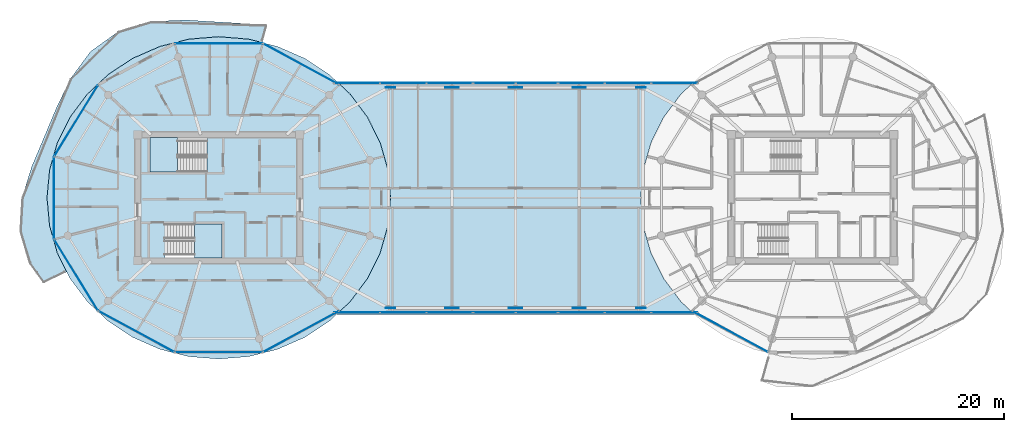
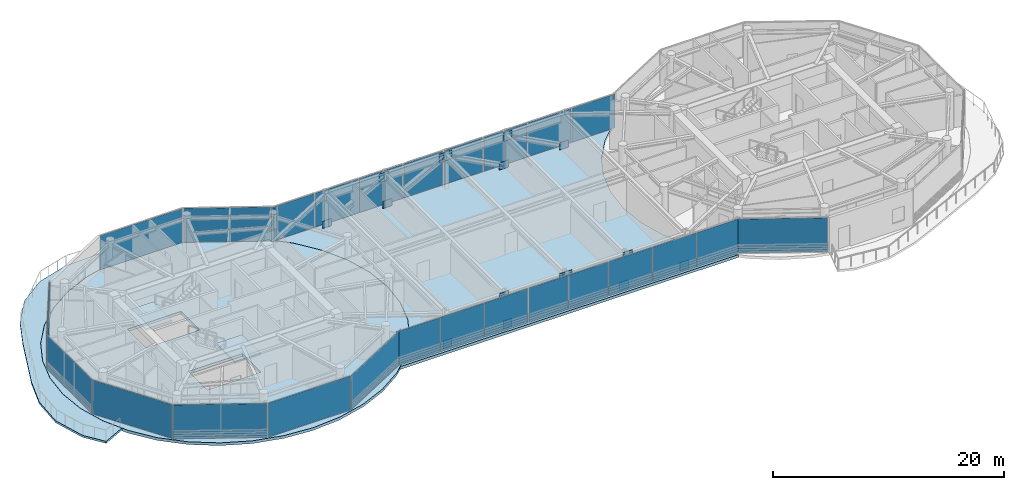
# One storey, part 11 of 24: 41 plates, 5 slabs, 17 elements without a shape of their own.
"""IFC4 building model written with IfcOpenShell, lengths in metres."""

from ifc_helpers import new_model, si_unit, direction, frame, origin, origin_2d, place, context, subcontext, project, spatial, polyline, rectangle, outline, extrude, source, transform, mapped, material, layer, layer_set, type_object, type_shapes, element, aggregate, save


model = new_model("IFC4")

# Units and contexts
model_context = context("Model", 3, precision=1e-05, world=origin(), true_north=direction((0.0, 1.0)))
body_context = subcontext(model_context, "Body", "Model", "MODEL_VIEW")
ifc_project = project(units=[si_unit("LENGTHUNIT", "METRE"), si_unit("AREAUNIT", "SQUARE_METRE"), si_unit("VOLUMEUNIT", "CUBIC_METRE"), si_unit("PLANEANGLEUNIT", "RADIAN"), si_unit("MASSUNIT", "GRAM", prefix="KILO")], contexts=[model_context])

# Site, building, storey
site_placement = place(None, origin())
site = spatial("IfcSite", under=ifc_project, at=site_placement, CompositionType="ELEMENT")
building_placement = place(site_placement, origin())
building = spatial("IfcBuilding", under=site, at=building_placement, Name="Norrkilde Senior Care Towers", CompositionType="ELEMENT")
storey_placement = place(building_placement, frame((0.0, 0.0, 203.800048828125)))
storey = spatial("IfcBuildingStorey", under=building, at=storey_placement, Name="L63", CompositionType="ELEMENT", Elevation=203.800048828125)

# Slabs
ifc_material_1 = material(Name="Concrete C50/60", Category="concrete")
ifc_layer_1 = layer(ifc_material_1, 0.2900390625)
ifc_layer_set_1 = layer_set([ifc_layer_1], Name="Concrete C50/60")
slab_type_1 = type_object("IfcSlabType", Name="Bridge Floor Slab 290", PredefinedType="FLOOR", material=ifc_layer_set_1)
slab_1_placement = place(storey_placement, frame((0.0, 0.0, -0.2900390625)))
element("IfcSlab", 1, at=slab_1_placement, inside=storey, type_object=slab_type_1, Name="L63 Drum W Structural Floor Slab", PredefinedType="FLOOR", context=body_context, shape_type="SweptSolid", body=[
    extrude(outline(polyline([(-12.777099609375, -5.19873046875), (-13.970458984375, -7.60009765625), (-15.590087890625, -9.770263671875), (-17.5869140625, -11.643798828125), (-19.89990234375, -13.16357421875), (-22.459228515625, -14.283447265625), (-25.18701171875, -14.968994140625), (-28.0, -15.199951171875), (-30.81298828125, -14.968994140625), (-33.540771484375, -14.283447265625), (-36.10009765625, -13.16357421875), (-38.4130859375, -11.643798828125), (-40.409912109375, -9.770263671875), (-42.029541015625, -7.60009765625), (-43.222900390625, -5.19873046875), (-43.953857421875, -2.639404296875), (-44.199951171875, 0.0), (-43.953857421875, 2.639404296875), (-43.222900390625, 5.19873046875), (-42.029541015625, 7.60009765625), (-40.409912109375, 9.770263671875), (-38.4130859375, 11.643798828125), (-36.10009765625, 13.16357421875), (-33.540771484375, 14.283447265625), (-30.81298828125, 14.968994140625), (-28.0, 15.199951171875), (-25.18701171875, 14.968994140625), (-22.459228515625, 14.283447265625), (-19.89990234375, 13.16357421875), (-17.5869140625, 11.643798828125), (-15.590087890625, 9.770263671875), (-13.970458984375, 7.60009765625), (-12.777099609375, 5.19873046875), (-12.046142578125, 2.639404296875), (-11.800048828125, 0.0), (-12.046142578125, -2.639404296875), (-12.777099609375, -5.19873046875)]), holes=[polyline([(-34.48193359375, 2.468017578125), (-29.117919921875, 2.468017578125), (-29.117919921875, 5.68994140625), (-34.48193359375, 5.68994140625), (-34.48193359375, 2.468017578125)]), polyline([(-27.718017578125, -5.68994140625), (-27.718017578125, -2.468017578125), (-33.08203125, -2.468017578125), (-33.08203125, -5.68994140625), (-27.718017578125, -5.68994140625)])]), origin(), (0.0, 0.0, 1.0), 0.2900390625),
])
slab_2_placement = place(storey_placement, frame((0.0, 0.0, -0.2900390625)))
element("IfcSlab", 2, at=slab_2_placement, inside=storey, type_object=slab_type_1, Name="L63 Sky-Gate Bridge Floor Slab", PredefinedType="FLOOR", context=body_context, shape_type="SweptSolid", body=[
    extrude(outline(polyline([(16.893310546875, 11.0), (15.586669921875, 9.77392578125), (15.58642578125, 9.773681640625), (15.586181640625, 9.7734375), (13.96630859375, 7.60302734375), (13.966064453125, 7.6025390625), (13.9658203125, 7.602294921875), (12.7724609375, 5.200927734375), (12.772216796875, 5.200439453125), (12.772216796875, 5.2001953125), (12.041259765625, 2.640869140625), (12.041259765625, 2.640380859375), (12.041015625, 2.639892578125), (11.794921875, 0.00048828125), (11.794921875, 0.0), (11.794921875, -0.00048828125), (12.041015625, -2.639892578125), (12.041259765625, -2.640380859375), (12.041259765625, -2.640869140625), (12.772216796875, -5.2001953125), (12.772216796875, -5.200439453125), (12.7724609375, -5.200927734375), (13.9658203125, -7.602294921875), (13.966064453125, -7.6025390625), (13.96630859375, -7.60302734375), (15.586181640625, -9.7734375), (15.58642578125, -9.773681640625), (15.586669921875, -9.77392578125), (16.893310546875, -11.0), (-16.893310546875, -11.0), (-15.586669921875, -9.77392578125), (-15.58642578125, -9.773681640625), (-15.586181640625, -9.7734375), (-13.96630859375, -7.60302734375), (-13.966064453125, -7.6025390625), (-13.9658203125, -7.602294921875), (-12.7724609375, -5.200927734375), (-12.772216796875, -5.200439453125), (-12.772216796875, -5.2001953125), (-12.041259765625, -2.640869140625), (-12.041259765625, -2.640380859375), (-12.041015625, -2.639892578125), (-11.794921875, -0.00048828125), (-11.794921875, 0.0), (-11.794921875, 0.00048828125), (-12.041015625, 2.639892578125), (-12.041259765625, 2.640380859375), (-12.041259765625, 2.640869140625), (-12.772216796875, 5.2001953125), (-12.772216796875, 5.200439453125), (-12.7724609375, 5.200927734375), (-13.9658203125, 7.602294921875), (-13.966064453125, 7.6025390625), (-13.96630859375, 7.60302734375), (-15.586181640625, 9.7734375), (-15.58642578125, 9.773681640625), (-15.586669921875, 9.77392578125), (-16.893310546875, 11.0), (16.893310546875, 11.0)])), origin(), (0.0, 0.0, 1.0), 0.2900390625),
])
ifc_layer_2 = layer(ifc_material_1, 0.215087890625)
ifc_layer_set_2 = layer_set([ifc_layer_2], Name="Concrete C50/60")
slab_type_2 = type_object("IfcSlabType", Name="Sinusoidal Balcony Ribbon Slab 215", PredefinedType="FLOOR", material=ifc_layer_set_2)
slab_3_placement = place(storey_placement, frame((0.0, 0.0, -0.215087890625)))
element("IfcSlab", 3, at=slab_3_placement, inside=storey, type_object=slab_type_2, Name="L63 Drum W Swirling Senior Balcony 1", PredefinedType="FLOOR", context=body_context, shape_type="SweptSolid", body=[
    extrude(outline(polyline([(-46.564453125, 0.0), (-45.638671875, 2.9560546875), (-44.48876953125, 5.689697265625), (-43.348876953125, 8.411865234375), (-42.01416015625, 11.205078125), (-40.10546875, 13.79345703125), (-37.47314453125, 15.698486328125), (-34.344970703125, 16.638671875), (-31.112548828125, 16.779052734375), (-28.0, 16.587890625), (-24.947265625, 16.417236328125), (-23.424072265625, 16.30810546875), (-23.889892578125, 14.648193359375), (-25.18603515625, 14.97412109375), (-28.0, 15.205078125), (-30.81396484375, 14.97412109375), (-33.54248046875, 14.2880859375), (-36.1025390625, 13.16796875), (-38.416259765625, 11.647705078125), (-40.413818359375, 9.773681640625), (-42.033935546875, 7.6025390625), (-43.227783203125, 5.200439453125), (-43.958740234375, 2.640380859375), (-44.205078125, 0.0), (-43.958740234375, -2.640380859375), (-43.227783203125, -5.200439453125), (-42.34375, -6.979248046875), (-44.52392578125, -8.0400390625), (-45.842041015625, -6.214599609375), (-46.74853515625, -3.16455078125), (-46.564453125, 0.0)])), origin(), (0.0, 0.0, 1.0), 0.215087890625),
])

# Stair, slab
ifc_material_2 = material(Name="Concrete C45/55", Category="concrete")
stair_type = type_object("IfcStairType", Name="Core Protected Dogleg Stair Bridge 4000", PredefinedType="HALF_TURN_STAIR", material=ifc_material_2)
stair_1_placement = place(storey_placement, origin())
stair_1 = element("IfcStair", 4, at=stair_1_placement, inside=storey, type_object=stair_type, Name="L63 Protected Core Stair W1", PredefinedType="HALF_TURN_STAIR")
ifc_layer_3 = layer(ifc_material_2, 0.199951171875)
ifc_layer_set_3 = layer_set([ifc_layer_3], Name="Concrete C45/55")
slab_type_3 = type_object("IfcSlabType", Name="Stair Landing Slab 200", PredefinedType="LANDING", material=ifc_layer_set_3)
slab_4_placement = place(storey_placement, frame((0.0, 0.0, 1.800048828125)))
slab_4 = element("IfcSlab", 5, at=slab_4_placement, type_object=slab_type_3, Name="ST-W1 landing 1", PredefinedType="LANDING", context=body_context, shape_type="SweptSolid", body=[
    extrude(outline(polyline([(-31.89990234375, 5.68994140625), (-34.5, 5.68994140625), (-34.5, 2.449951171875), (-31.89990234375, 2.449951171875), (-31.89990234375, 5.68994140625)])), origin(), (0.0, 0.0, 1.0), 0.199951171875),
])
aggregate(stair_1, [slab_4])

stair_2_placement = place(storey_placement, origin())
stair_2 = element("IfcStair", 6, at=stair_2_placement, inside=storey, type_object=stair_type, Name="L63 Protected Core Stair W2", PredefinedType="HALF_TURN_STAIR")
slab_5_placement = place(storey_placement, frame((0.0, 0.0, 1.800048828125)))
slab_5 = element("IfcSlab", 7, at=slab_5_placement, type_object=slab_type_3, Name="ST-W2 landing 1", PredefinedType="LANDING", context=body_context, shape_type="SweptSolid", body=[
    extrude(outline(polyline([(-30.300048828125, -5.68994140625), (-27.699951171875, -5.68994140625), (-27.699951171875, -2.449951171875), (-30.300048828125, -2.449951171875), (-30.300048828125, -5.68994140625)])), origin(), (0.0, 0.0, 1.0), 0.199951171875),
])
aggregate(stair_2, [slab_5])

# Plates
ifc_material_3 = material(Name="Steel S355", Category="steel")
ifc_layer_4 = layer(ifc_material_3, 0.034912109375)
ifc_layer_set_4 = layer_set([ifc_layer_4], Name="Steel S355")
plate_type_1 = type_object("IfcPlateType", Name="Truss Node Gusset Plate 35", PredefinedType="USERDEFINED", material=ifc_layer_set_4)
shared_shape_1 = source(origin(), body_context, "Body", "SweptSolid", [
    extrude(rectangle(XDim=0.89990234375, YDim=0.034912109375, at=origin_2d()), origin(), (0.0, 0.0, 1.0), 0.89990234375),
])
type_shapes(plate_type_1, [shared_shape_1])
for number, where, z_axis, x_axis, name in (
    (8, (-11.820068359375, -10.39990234375, -0.14990234375), (0.0, 0.0, 1.0), (1.0, 0.0, 0.0), "L63 Pratt Truss Node Assembly ND-B2 Lower Gusset Plate"),
    (9, (-6.179931640625, -10.39990234375, 2.860107421875), (0.0, 0.0, 1.0), (1.0, 0.0, 0.0), "L63 Pratt Truss Node Assembly ND-B2 Upper Gusset Plate"),
    (10, (-5.820068359375, -10.39990234375, -0.14990234375), (0.0, 0.0, 1.0), (1.0, 0.0, 0.0), "L63 Pratt Truss Node Assembly ND-B3 Lower Gusset Plate"),
    (11, (-0.179931640625, -10.39990234375, 2.860107421875), (0.0, 0.0, 1.0), (1.0, 0.0, 0.0), "L63 Pratt Truss Node Assembly ND-B3 Upper Gusset Plate"),
    (12, (5.820068359375, -10.39990234375, -0.14990234375), (0.0, 0.0, 1.0), (1.0, 0.0, 0.0), "L63 Pratt Truss Node Assembly ND-B4 Lower Gusset Plate"),
    (13, (0.179931640625, -10.39990234375, 2.860107421875), (0.0, 0.0, 1.0), (1.0, 0.0, 0.0), "L63 Pratt Truss Node Assembly ND-B4 Upper Gusset Plate"),
    (14, (11.820068359375, -10.39990234375, -0.14990234375), (0.0, 0.0, 1.0), (1.0, 0.0, 0.0), "L63 Pratt Truss Node Assembly ND-B5 Lower Gusset Plate"),
    (15, (6.179931640625, -10.39990234375, 2.860107421875), (0.0, 0.0, 1.0), (1.0, 0.0, 0.0), "L63 Pratt Truss Node Assembly ND-B5 Upper Gusset Plate"),
    (16, (-11.820068359375, 10.39990234375, -0.14990234375), (0.0, 0.0, 1.0), (1.0, 0.0, 0.0), "L63 Pratt Truss Node Assembly ND-B2 Lower Gusset Plate"),
    (17, (-6.179931640625, 10.39990234375, 2.860107421875), (0.0, 0.0, 1.0), (1.0, 0.0, 0.0), "L63 Pratt Truss Node Assembly ND-B2 Upper Gusset Plate"),
    (18, (-5.820068359375, 10.39990234375, -0.14990234375), (0.0, 0.0, 1.0), (1.0, 0.0, 0.0), "L63 Pratt Truss Node Assembly ND-B3 Lower Gusset Plate"),
    (19, (-0.179931640625, 10.39990234375, 2.860107421875), (0.0, 0.0, 1.0), (1.0, 0.0, 0.0), "L63 Pratt Truss Node Assembly ND-B3 Upper Gusset Plate"),
    (20, (5.820068359375, 10.39990234375, -0.14990234375), (0.0, 0.0, 1.0), (1.0, 0.0, 0.0), "L63 Pratt Truss Node Assembly ND-B4 Lower Gusset Plate"),
    (21, (0.179931640625, 10.39990234375, 2.860107421875), (0.0, 0.0, 1.0), (1.0, 0.0, 0.0), "L63 Pratt Truss Node Assembly ND-B4 Upper Gusset Plate"),
    (22, (11.820068359375, 10.39990234375, -0.14990234375), (0.0, 0.0, 1.0), (1.0, 0.0, 0.0), "L63 Pratt Truss Node Assembly ND-B5 Lower Gusset Plate"),
    (23, (6.179931640625, 10.39990234375, 2.860107421875), (0.0, 0.0, 1.0), (1.0, 0.0, 0.0), "L63 Pratt Truss Node Assembly ND-B5 Upper Gusset Plate"),
):
    element("IfcPlate", number, at=place(storey_placement, frame(where, z_axis=z_axis, x_axis=x_axis)), inside=storey, type_object=plate_type_1, Name=name, ObjectType="GUSSET_PLATE", PredefinedType="USERDEFINED", context=body_context, shape_type="MappedRepresentation", body=[
        mapped(shared_shape_1, transform((0.0, 0.0, 0.0), x_axis=(1.0, 0.0, 0.0), y_axis=(0.0, 1.0, 0.0), z_axis=(0.0, 0.0, 1.0), scale=1.0)),
    ])

# Curtain wall, plate
ifc_material_4 = material(Name="Triple Low-E Insulated Glazing", Category="glass")
ifc_layer_5 = layer(ifc_material_4, 0.18505859375)
ifc_layer_set_5 = layer_set([ifc_layer_5], Name="Triple Low-E Insulated Glazing")
curtain_wall_type_1 = type_object("IfcCurtainWallType", Name="CW6 Zone 4 Crown Pavilion Curtain Wall", PredefinedType="NOTDEFINED", material=ifc_layer_set_5)
curtain_wall_1_placement = place(storey_placement, origin())
curtain_wall_1 = element("IfcCurtainWall", 24, at=curtain_wall_1_placement, inside=storey, type_object=curtain_wall_type_1, Name="L63 Drum W Curtain Wall 01", PredefinedType="NOTDEFINED")
ifc_layer_6 = layer(ifc_material_4, 0.035888671875)
ifc_layer_set_6 = layer_set([ifc_layer_6], Name="Triple Low-E Insulated Glazing")
plate_type_2 = type_object("IfcPlateType", Name="Triple Low-E Vision Curtain Panel 36", PredefinedType="CURTAIN_PANEL", material=ifc_layer_set_6)
shared_shape_2 = source(origin(), body_context, "Body", "SweptSolid", [
    extrude(rectangle(XDim=8.0673828125, YDim=0.035888671875, at=origin_2d()), origin(), (0.0, 0.0, 1.0), 3.590087890625),
])
plate_1_placement = place(storey_placement, frame((-20.23388671875, 12.61474609375, 0.06005859375), z_axis=(0.0, 0.0, 1.0), x_axis=(0.879373455772, -0.476132676136, 0.0)))
plate_1 = element("IfcPlate", 25, at=plate_1_placement, type_object=plate_type_2, Name="CW-6 panel 1.1", PredefinedType="CURTAIN_PANEL", context=body_context, shape_type="MappedRepresentation", body=[
    mapped(shared_shape_2, transform((0.0, 0.0, 0.0), x_axis=(1.0, 0.0, 0.0), y_axis=(0.0, 1.0, 0.0), z_axis=(0.0, 0.0, 1.0), scale=1.0)),
])
aggregate(curtain_wall_1, [plate_1])

curtain_wall_2_placement = place(storey_placement, origin())
curtain_wall_2 = element("IfcCurtainWall", 26, at=curtain_wall_2_placement, inside=storey, type_object=curtain_wall_type_1, Name="L63 Drum W Curtain Wall 07", PredefinedType="NOTDEFINED")
plate_2_placement = place(storey_placement, frame((-35.76611328125, -12.61474609375, 0.06005859375), z_axis=(0.0, 0.0, 1.0), x_axis=(-0.879373455772, 0.476132676136, 0.0)))
plate_2 = element("IfcPlate", 27, at=plate_2_placement, type_object=plate_type_2, Name="CW-6 panel 1.1", PredefinedType="CURTAIN_PANEL", context=body_context, shape_type="MappedRepresentation", body=[
    mapped(shared_shape_2, transform((0.0, 0.0, 0.0), x_axis=(1.0, 0.0, 0.0), y_axis=(0.0, 1.0, 0.0), z_axis=(0.0, 0.0, 1.0), scale=1.0)),
])
aggregate(curtain_wall_2, [plate_2])

curtain_wall_3_placement = place(storey_placement, origin())
curtain_wall_3 = element("IfcCurtainWall", 28, at=curtain_wall_3_placement, inside=storey, type_object=curtain_wall_type_1, Name="L63 Drum W Curtain Wall 09", PredefinedType="NOTDEFINED")
plate_3_placement = place(storey_placement, frame((-20.23388671875, -12.61474609375, 0.06005859375), z_axis=(0.0, 0.0, 1.0), x_axis=(-0.879373455772, -0.476132676136, 0.0)))
plate_3 = element("IfcPlate", 29, at=plate_3_placement, type_object=plate_type_2, Name="CW-6 panel 1.1", PredefinedType="CURTAIN_PANEL", context=body_context, shape_type="MappedRepresentation", body=[
    mapped(shared_shape_2, transform((0.0, 0.0, 0.0), x_axis=(1.0, 0.0, 0.0), y_axis=(0.0, 1.0, 0.0), z_axis=(0.0, 0.0, 1.0), scale=1.0)),
])
aggregate(curtain_wall_3, [plate_3])

curtain_wall_4_placement = place(storey_placement, origin())
curtain_wall_4 = element("IfcCurtainWall", 30, at=curtain_wall_4_placement, inside=storey, type_object=curtain_wall_type_1, Name="L63 Drum E Curtain Wall 07", PredefinedType="NOTDEFINED")
plate_4_placement = place(storey_placement, frame((20.23388671875, -12.61474609375, 0.06005859375), z_axis=(0.0, 0.0, 1.0), x_axis=(-0.879373455772, 0.476132676136, 0.0)))
plate_4 = element("IfcPlate", 31, at=plate_4_placement, type_object=plate_type_2, Name="CW-6 panel 1.1", PredefinedType="CURTAIN_PANEL", context=body_context, shape_type="MappedRepresentation", body=[
    mapped(shared_shape_2, transform((0.0, 0.0, 0.0), x_axis=(1.0, 0.0, 0.0), y_axis=(0.0, 1.0, 0.0), z_axis=(0.0, 0.0, 1.0), scale=1.0)),
])
aggregate(curtain_wall_4, [plate_4])

curtain_wall_5_placement = place(storey_placement, origin())
curtain_wall_5 = element("IfcCurtainWall", 32, at=curtain_wall_5_placement, inside=storey, type_object=curtain_wall_type_1, Name="L63 Drum W Curtain Wall 02", PredefinedType="NOTDEFINED")
shared_shape_3 = source(origin(), body_context, "Body", "SweptSolid", [
    extrude(rectangle(XDim=8.193603515625, YDim=0.035888671875, at=origin_2d()), origin(), (0.0, 0.0, 1.0), 3.590087890625),
])
plate_5_placement = place(storey_placement, frame((-28.0, 14.566162109375, 0.06005859375), z_axis=(0.0, 0.0, 1.0), x_axis=(1.0, 0.0, 0.0)))
plate_5 = element("IfcPlate", 33, at=plate_5_placement, type_object=plate_type_2, Name="CW-6 panel 1.1", PredefinedType="CURTAIN_PANEL", context=body_context, shape_type="MappedRepresentation", body=[
    mapped(shared_shape_3, transform((0.0, 0.0, 0.0), x_axis=(1.0, 0.0, 0.0), y_axis=(0.0, 1.0, 0.0), z_axis=(0.0, 0.0, 1.0), scale=1.0)),
])
aggregate(curtain_wall_5, [plate_5])

curtain_wall_6_placement = place(storey_placement, origin())
curtain_wall_6 = element("IfcCurtainWall", 34, at=curtain_wall_6_placement, inside=storey, type_object=curtain_wall_type_1, Name="L63 Drum W Curtain Wall 08", PredefinedType="NOTDEFINED")
plate_6_placement = place(storey_placement, frame((-28.0, -14.566162109375, 0.06005859375), z_axis=(0.0, 0.0, 1.0), x_axis=(-1.0, 0.0, 0.0)))
plate_6 = element("IfcPlate", 35, at=plate_6_placement, type_object=plate_type_2, Name="CW-6 panel 1.1", PredefinedType="CURTAIN_PANEL", context=body_context, shape_type="MappedRepresentation", body=[
    mapped(shared_shape_3, transform((0.0, 0.0, 0.0), x_axis=(1.0, 0.0, 0.0), y_axis=(0.0, 1.0, 0.0), z_axis=(0.0, 0.0, 1.0), scale=1.0)),
])
aggregate(curtain_wall_6, [plate_6])

curtain_wall_7_placement = place(storey_placement, origin())
curtain_wall_7 = element("IfcCurtainWall", 36, at=curtain_wall_7_placement, inside=storey, type_object=curtain_wall_type_1, Name="L63 Drum W Curtain Wall 05", PredefinedType="NOTDEFINED")
shared_shape_4 = source(origin(), body_context, "Body", "SweptSolid", [
    extrude(rectangle(XDim=7.676025390625, YDim=0.035888671875, at=origin_2d()), origin(), (0.0, 0.0, 1.0), 3.590087890625),
])
plate_7_placement = place(storey_placement, frame((-43.531982421875, 0.0, 0.06005859375), z_axis=(0.0, 0.0, 1.0), x_axis=(0.0, 1.0, 0.0)))
plate_7 = element("IfcPlate", 37, at=plate_7_placement, type_object=plate_type_2, Name="CW-6 panel 1.1", PredefinedType="CURTAIN_PANEL", context=body_context, shape_type="MappedRepresentation", body=[
    mapped(shared_shape_4, transform((0.0, 0.0, 0.0), x_axis=(1.0, 0.0, 0.0), y_axis=(0.0, 1.0, 0.0), z_axis=(0.0, 0.0, 1.0), scale=1.0)),
])
aggregate(curtain_wall_7, [plate_7])

curtain_wall_8_placement = place(storey_placement, origin())
curtain_wall_8 = element("IfcCurtainWall", 38, at=curtain_wall_8_placement, inside=storey, type_object=curtain_wall_type_1, Name="L63 Drum W Curtain Wall 04", PredefinedType="NOTDEFINED")
shared_shape_5 = source(origin(), body_context, "Body", "SweptSolid", [
    extrude(rectangle(XDim=7.80859375, YDim=0.035888671875, at=origin_2d()), origin(), (0.0, 0.0, 1.0), 3.590087890625),
])
type_shapes(plate_type_2, [shared_shape_2, shared_shape_3, shared_shape_4, shared_shape_5])
plate_8_placement = place(storey_placement, frame((-41.451171875, 7.282958984375, 0.06005859375), z_axis=(0.0, 0.0, 1.0), x_axis=(0.524252726748, 0.851562727283, 0.0)))
plate_8 = element("IfcPlate", 39, at=plate_8_placement, type_object=plate_type_2, Name="CW-6 panel 1.1", PredefinedType="CURTAIN_PANEL", context=body_context, shape_type="MappedRepresentation", body=[
    mapped(shared_shape_5, transform((0.0, 0.0, 0.0), x_axis=(1.0, 0.0, 0.0), y_axis=(0.0, 1.0, 0.0), z_axis=(0.0, 0.0, 1.0), scale=1.0)),
])
aggregate(curtain_wall_8, [plate_8])

curtain_wall_9_placement = place(storey_placement, origin())
curtain_wall_9 = element("IfcCurtainWall", 40, at=curtain_wall_9_placement, inside=storey, type_object=curtain_wall_type_1, Name="L63 Drum W Curtain Wall 06", PredefinedType="NOTDEFINED")
plate_9_placement = place(storey_placement, frame((-41.451171875, -7.282958984375, 0.06005859375), z_axis=(0.0, 0.0, 1.0), x_axis=(-0.524252726748, 0.851562727283, 0.0)))
plate_9 = element("IfcPlate", 41, at=plate_9_placement, type_object=plate_type_2, Name="CW-6 panel 1.1", PredefinedType="CURTAIN_PANEL", context=body_context, shape_type="MappedRepresentation", body=[
    mapped(shared_shape_5, transform((0.0, 0.0, 0.0), x_axis=(1.0, 0.0, 0.0), y_axis=(0.0, 1.0, 0.0), z_axis=(0.0, 0.0, 1.0), scale=1.0)),
])
aggregate(curtain_wall_9, [plate_9])

# Curtain wall, plates
ifc_layer_7 = layer(ifc_material_4, 0.2099609375)
ifc_layer_set_7 = layer_set([ifc_layer_7], Name="Triple Low-E Insulated Glazing")
curtain_wall_type_2 = type_object("IfcCurtainWallType", Name="CW5 Sky-Gate Bridge Curtain Wall", PredefinedType="NOTDEFINED", material=ifc_layer_set_7)
curtain_wall_10_placement = place(storey_placement, origin())
curtain_wall_10 = element("IfcCurtainWall", 42, at=curtain_wall_10_placement, inside=storey, type_object=curtain_wall_type_2, Name="L63 Sky-Gate Bridge North Curtain Wall 1", PredefinedType="NOTDEFINED")
ifc_material_5 = material(Name="Architectural Terracotta", Category="masonry")
ifc_layer_8 = layer(ifc_material_5, 0.048095703125)
ifc_layer_set_8 = layer_set([ifc_layer_8], Name="Architectural Terracotta")
plate_type_3 = type_object("IfcPlateType", Name="Insulated Terracotta Spandrel Panel 48", PredefinedType="CURTAIN_PANEL", material=ifc_layer_set_8)
shared_shape_6 = source(origin(), body_context, "Body", "SweptSolid", [
    extrude(rectangle(XDim=4.294921875, YDim=0.048095703125, at=origin_2d()), origin(), (0.0, 0.0, 1.0), 3.580078125),
])
plate_10_placement = place(storey_placement, frame((-14.982421875, 10.820068359375, 0.06494140625), z_axis=(0.0, 0.0, 1.0), x_axis=(1.0, 0.0, 0.0)))
plate_10 = element("IfcPlate", 43, at=plate_10_placement, type_object=plate_type_3, Name="CW-5 panel 1.1", PredefinedType="CURTAIN_PANEL", context=body_context, shape_type="MappedRepresentation", body=[
    mapped(shared_shape_6, transform((0.0, 0.0, 0.0), x_axis=(1.0, 0.0, 0.0), y_axis=(0.0, 1.0, 0.0), z_axis=(0.0, 0.0, 1.0), scale=1.0)),
])
plate_11_placement = place(storey_placement, frame((-6.217529296875, 10.820068359375, 0.06494140625), z_axis=(0.0, 0.0, 1.0), x_axis=(1.0, 0.0, 0.0)))
plate_11 = element("IfcPlate", 44, at=plate_11_placement, type_object=plate_type_3, Name="CW-5 panel 3.1", PredefinedType="CURTAIN_PANEL", context=body_context, shape_type="MappedRepresentation", body=[
    mapped(shared_shape_6, transform((0.0, 0.0, 0.0), x_axis=(1.0, 0.0, 0.0), y_axis=(0.0, 1.0, 0.0), z_axis=(0.0, 0.0, 1.0), scale=1.0)),
])

curtain_wall_11_placement = place(storey_placement, origin())
curtain_wall_11 = element("IfcCurtainWall", 45, at=curtain_wall_11_placement, inside=storey, type_object=curtain_wall_type_2, Name="L63 Sky-Gate Bridge North Curtain Wall 3", PredefinedType="NOTDEFINED")
plate_12_placement = place(storey_placement, frame((6.217529296875, 10.820068359375, 0.06494140625), z_axis=(0.0, 0.0, 1.0), x_axis=(1.0, 0.0, 0.0)))
plate_12 = element("IfcPlate", 46, at=plate_12_placement, type_object=plate_type_3, Name="CW-5 panel 1.1", PredefinedType="CURTAIN_PANEL", context=body_context, shape_type="MappedRepresentation", body=[
    mapped(shared_shape_6, transform((0.0, 0.0, 0.0), x_axis=(1.0, 0.0, 0.0), y_axis=(0.0, 1.0, 0.0), z_axis=(0.0, 0.0, 1.0), scale=1.0)),
])
plate_13_placement = place(storey_placement, frame((14.982421875, 10.820068359375, 0.06494140625), z_axis=(0.0, 0.0, 1.0), x_axis=(1.0, 0.0, 0.0)))
plate_13 = element("IfcPlate", 47, at=plate_13_placement, type_object=plate_type_3, Name="CW-5 panel 3.1", PredefinedType="CURTAIN_PANEL", context=body_context, shape_type="MappedRepresentation", body=[
    mapped(shared_shape_6, transform((0.0, 0.0, 0.0), x_axis=(1.0, 0.0, 0.0), y_axis=(0.0, 1.0, 0.0), z_axis=(0.0, 0.0, 1.0), scale=1.0)),
])

curtain_wall_12_placement = place(storey_placement, origin())
curtain_wall_12 = element("IfcCurtainWall", 48, at=curtain_wall_12_placement, inside=storey, type_object=curtain_wall_type_2, Name="L63 Sky-Gate Bridge South Curtain Wall 1", PredefinedType="NOTDEFINED")
plate_14_placement = place(storey_placement, frame((14.982421875, -10.820068359375, 0.06494140625), z_axis=(0.0, 0.0, 1.0), x_axis=(-1.0, 0.0, 0.0)))
plate_14 = element("IfcPlate", 49, at=plate_14_placement, type_object=plate_type_3, Name="CW-5 panel 1.1", PredefinedType="CURTAIN_PANEL", context=body_context, shape_type="MappedRepresentation", body=[
    mapped(shared_shape_6, transform((0.0, 0.0, 0.0), x_axis=(1.0, 0.0, 0.0), y_axis=(0.0, 1.0, 0.0), z_axis=(0.0, 0.0, 1.0), scale=1.0)),
])
plate_15_placement = place(storey_placement, frame((6.217529296875, -10.820068359375, 0.06494140625), z_axis=(0.0, 0.0, 1.0), x_axis=(-1.0, 0.0, 0.0)))
plate_15 = element("IfcPlate", 50, at=plate_15_placement, type_object=plate_type_3, Name="CW-5 panel 3.1", PredefinedType="CURTAIN_PANEL", context=body_context, shape_type="MappedRepresentation", body=[
    mapped(shared_shape_6, transform((0.0, 0.0, 0.0), x_axis=(1.0, 0.0, 0.0), y_axis=(0.0, 1.0, 0.0), z_axis=(0.0, 0.0, 1.0), scale=1.0)),
])

curtain_wall_13_placement = place(storey_placement, origin())
curtain_wall_13 = element("IfcCurtainWall", 51, at=curtain_wall_13_placement, inside=storey, type_object=curtain_wall_type_2, Name="L63 Sky-Gate Bridge South Curtain Wall 3", PredefinedType="NOTDEFINED")
plate_16_placement = place(storey_placement, frame((-6.217529296875, -10.820068359375, 0.06494140625), z_axis=(0.0, 0.0, 1.0), x_axis=(-1.0, 0.0, 0.0)))
plate_16 = element("IfcPlate", 52, at=plate_16_placement, type_object=plate_type_3, Name="CW-5 panel 1.1", PredefinedType="CURTAIN_PANEL", context=body_context, shape_type="MappedRepresentation", body=[
    mapped(shared_shape_6, transform((0.0, 0.0, 0.0), x_axis=(1.0, 0.0, 0.0), y_axis=(0.0, 1.0, 0.0), z_axis=(0.0, 0.0, 1.0), scale=1.0)),
])
plate_17_placement = place(storey_placement, frame((-14.982421875, -10.820068359375, 0.06494140625), z_axis=(0.0, 0.0, 1.0), x_axis=(-1.0, 0.0, 0.0)))
plate_17 = element("IfcPlate", 53, at=plate_17_placement, type_object=plate_type_3, Name="CW-5 panel 3.1", PredefinedType="CURTAIN_PANEL", context=body_context, shape_type="MappedRepresentation", body=[
    mapped(shared_shape_6, transform((0.0, 0.0, 0.0), x_axis=(1.0, 0.0, 0.0), y_axis=(0.0, 1.0, 0.0), z_axis=(0.0, 0.0, 1.0), scale=1.0)),
])

# Plate
shared_shape_7 = source(origin(), body_context, "Body", "SweptSolid", [
    extrude(rectangle(XDim=4.330078125, YDim=0.048095703125, at=origin_2d()), origin(), (0.0, 0.0, 1.0), 3.580078125),
])
plate_18_placement = place(storey_placement, frame((-10.60009765625, 10.820068359375, 0.06494140625), z_axis=(0.0, 0.0, 1.0), x_axis=(1.0, 0.0, 0.0)))
plate_18 = element("IfcPlate", 54, at=plate_18_placement, type_object=plate_type_3, Name="CW-5 panel 2.1", PredefinedType="CURTAIN_PANEL", context=body_context, shape_type="MappedRepresentation", body=[
    mapped(shared_shape_7, transform((0.0, 0.0, 0.0), x_axis=(1.0, 0.0, 0.0), y_axis=(0.0, 1.0, 0.0), z_axis=(0.0, 0.0, 1.0), scale=1.0)),
])

aggregate(curtain_wall_10, [plate_10, plate_18, plate_11])

plate_19_placement = place(storey_placement, frame((10.60009765625, 10.820068359375, 0.06494140625), z_axis=(0.0, 0.0, 1.0), x_axis=(1.0, 0.0, 0.0)))
plate_19 = element("IfcPlate", 55, at=plate_19_placement, type_object=plate_type_3, Name="CW-5 panel 2.1", PredefinedType="CURTAIN_PANEL", context=body_context, shape_type="MappedRepresentation", body=[
    mapped(shared_shape_7, transform((0.0, 0.0, 0.0), x_axis=(1.0, 0.0, 0.0), y_axis=(0.0, 1.0, 0.0), z_axis=(0.0, 0.0, 1.0), scale=1.0)),
])

aggregate(curtain_wall_11, [plate_12, plate_19, plate_13])

plate_20_placement = place(storey_placement, frame((10.60009765625, -10.820068359375, 0.06494140625), z_axis=(0.0, 0.0, 1.0), x_axis=(-1.0, 0.0, 0.0)))
plate_20 = element("IfcPlate", 56, at=plate_20_placement, type_object=plate_type_3, Name="CW-5 panel 2.1", PredefinedType="CURTAIN_PANEL", context=body_context, shape_type="MappedRepresentation", body=[
    mapped(shared_shape_7, transform((0.0, 0.0, 0.0), x_axis=(1.0, 0.0, 0.0), y_axis=(0.0, 1.0, 0.0), z_axis=(0.0, 0.0, 1.0), scale=1.0)),
])

aggregate(curtain_wall_12, [plate_14, plate_20, plate_15])

plate_21_placement = place(storey_placement, frame((-10.60009765625, -10.820068359375, 0.06494140625), z_axis=(0.0, 0.0, 1.0), x_axis=(-1.0, 0.0, 0.0)))
plate_21 = element("IfcPlate", 57, at=plate_21_placement, type_object=plate_type_3, Name="CW-5 panel 2.1", PredefinedType="CURTAIN_PANEL", context=body_context, shape_type="MappedRepresentation", body=[
    mapped(shared_shape_7, transform((0.0, 0.0, 0.0), x_axis=(1.0, 0.0, 0.0), y_axis=(0.0, 1.0, 0.0), z_axis=(0.0, 0.0, 1.0), scale=1.0)),
])

aggregate(curtain_wall_13, [plate_16, plate_21, plate_17])

# Curtain wall, plates
curtain_wall_14_placement = place(storey_placement, origin())
curtain_wall_14 = element("IfcCurtainWall", 58, at=curtain_wall_14_placement, inside=storey, type_object=curtain_wall_type_2, Name="L63 Sky-Gate Bridge North Curtain Wall 2", PredefinedType="NOTDEFINED")
shared_shape_8 = source(origin(), body_context, "Body", "SweptSolid", [
    extrude(rectangle(XDim=3.89501953125, YDim=0.048095703125, at=origin_2d()), origin(), (0.0, 0.0, 1.0), 3.580078125),
])
type_shapes(plate_type_3, [shared_shape_6, shared_shape_7, shared_shape_8])
plate_22_placement = place(storey_placement, frame((-1.982421875, 10.820068359375, 0.06494140625), z_axis=(0.0, 0.0, 1.0), x_axis=(1.0, 0.0, 0.0)))
plate_22 = element("IfcPlate", 59, at=plate_22_placement, type_object=plate_type_3, Name="CW-5 panel 1.1", PredefinedType="CURTAIN_PANEL", context=body_context, shape_type="MappedRepresentation", body=[
    mapped(shared_shape_8, transform((0.0, 0.0, 0.0), x_axis=(1.0, 0.0, 0.0), y_axis=(0.0, 1.0, 0.0), z_axis=(0.0, 0.0, 1.0), scale=1.0)),
])
plate_23_placement = place(storey_placement, frame((1.982421875, 10.820068359375, 0.06494140625), z_axis=(0.0, 0.0, 1.0), x_axis=(1.0, 0.0, 0.0)))
plate_23 = element("IfcPlate", 60, at=plate_23_placement, type_object=plate_type_3, Name="CW-5 panel 2.1", PredefinedType="CURTAIN_PANEL", context=body_context, shape_type="MappedRepresentation", body=[
    mapped(shared_shape_8, transform((0.0, 0.0, 0.0), x_axis=(1.0, 0.0, 0.0), y_axis=(0.0, 1.0, 0.0), z_axis=(0.0, 0.0, 1.0), scale=1.0)),
])
aggregate(curtain_wall_14, [plate_22, plate_23])

curtain_wall_15_placement = place(storey_placement, origin())
curtain_wall_15 = element("IfcCurtainWall", 61, at=curtain_wall_15_placement, inside=storey, type_object=curtain_wall_type_2, Name="L63 Sky-Gate Bridge South Curtain Wall 2", PredefinedType="NOTDEFINED")
plate_24_placement = place(storey_placement, frame((1.982421875, -10.820068359375, 0.06494140625), z_axis=(0.0, 0.0, 1.0), x_axis=(-1.0, 0.0, 0.0)))
plate_24 = element("IfcPlate", 62, at=plate_24_placement, type_object=plate_type_3, Name="CW-5 panel 1.1", PredefinedType="CURTAIN_PANEL", context=body_context, shape_type="MappedRepresentation", body=[
    mapped(shared_shape_8, transform((0.0, 0.0, 0.0), x_axis=(1.0, 0.0, 0.0), y_axis=(0.0, 1.0, 0.0), z_axis=(0.0, 0.0, 1.0), scale=1.0)),
])
plate_25_placement = place(storey_placement, frame((-1.982421875, -10.820068359375, 0.06494140625), z_axis=(0.0, 0.0, 1.0), x_axis=(-1.0, 0.0, 0.0)))
plate_25 = element("IfcPlate", 63, at=plate_25_placement, type_object=plate_type_3, Name="CW-5 panel 2.1", PredefinedType="CURTAIN_PANEL", context=body_context, shape_type="MappedRepresentation", body=[
    mapped(shared_shape_8, transform((0.0, 0.0, 0.0), x_axis=(1.0, 0.0, 0.0), y_axis=(0.0, 1.0, 0.0), z_axis=(0.0, 0.0, 1.0), scale=1.0)),
])
aggregate(curtain_wall_15, [plate_24, plate_25])

save(model, "model.ifc")
